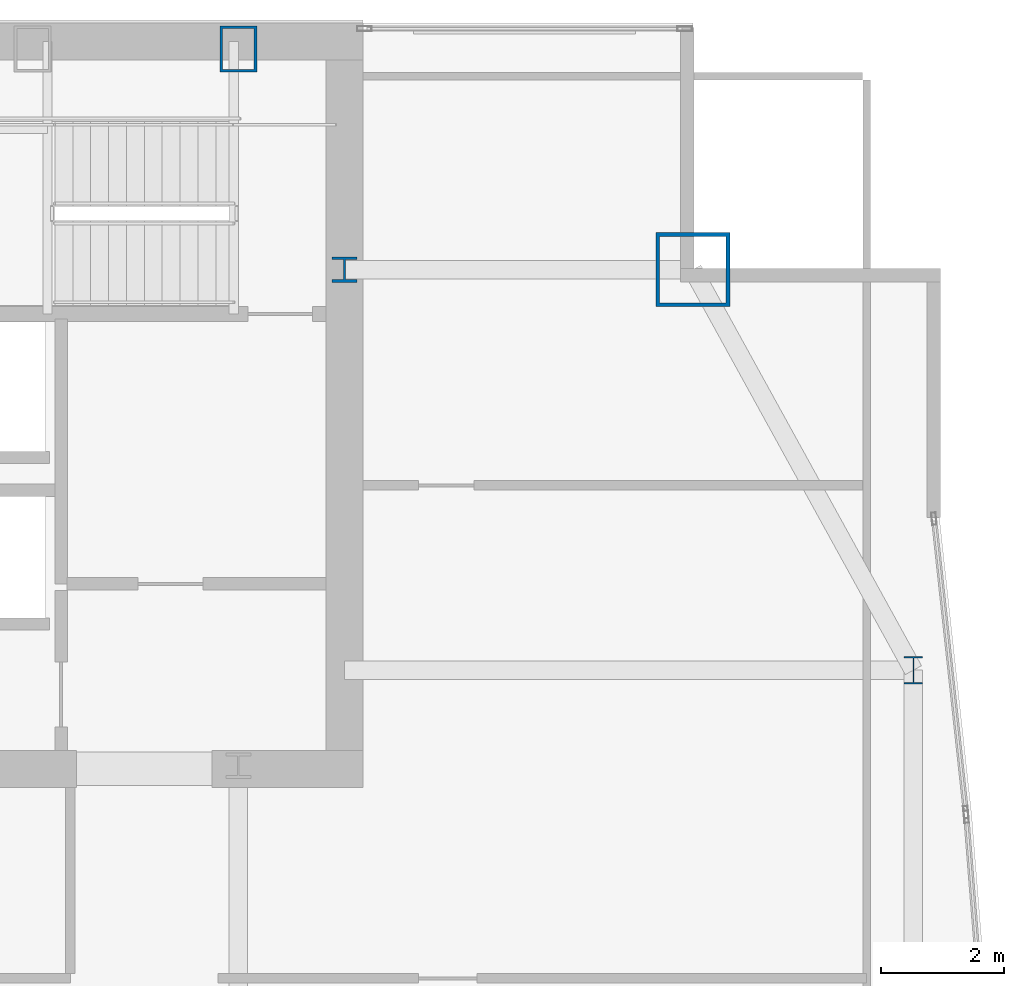
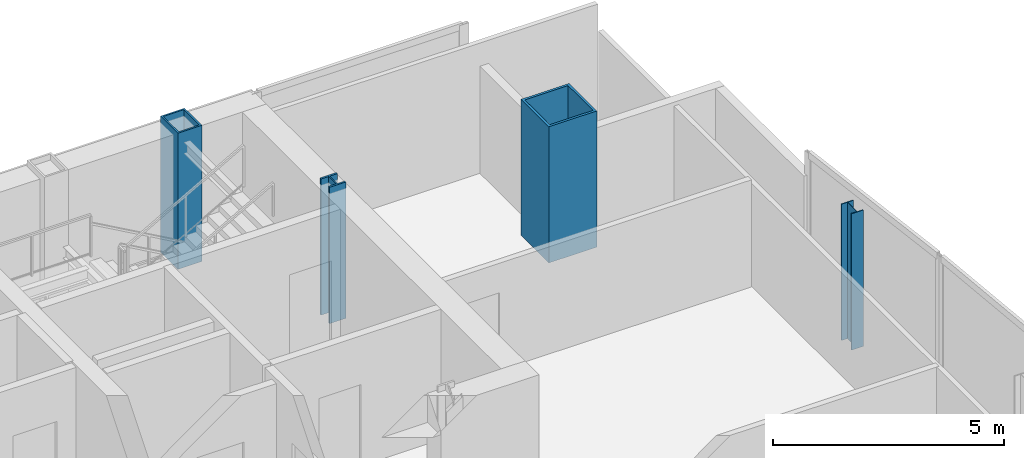
# One storey, part 4 of 32: 4 columns.
"""IFC4 building model written with IfcOpenShell, lengths in metres."""

from ifc_helpers import new_model, si_unit, direction, frame, origin, origin_2d, place, context, subcontext, project, spatial, hollow_rectangle, i_section, extrude, material, material_profile, profile_set, type_object, element, save


model = new_model("IFC4")

# Units and contexts
model_context = context("Model", 3, precision=1e-05, world=origin(), true_north=direction((0.0, 1.0)))
body_context = subcontext(model_context, "Body", "Model", "MODEL_VIEW")
ifc_project = project(units=[si_unit("LENGTHUNIT", "METRE"), si_unit("AREAUNIT", "SQUARE_METRE"), si_unit("VOLUMEUNIT", "CUBIC_METRE"), si_unit("PLANEANGLEUNIT", "RADIAN"), si_unit("MASSUNIT", "GRAM", prefix="KILO")], contexts=[model_context])

# Site, building, storey
site_placement = place(None, origin())
site = spatial("IfcSite", under=ifc_project, at=site_placement, CompositionType="ELEMENT")
building_placement = place(site_placement, origin())
building = spatial("IfcBuilding", under=site, at=building_placement, Name="Khoronbel Lancet Exchange", CompositionType="ELEMENT")
storey_placement = place(building_placement, frame((0.0, 0.0, 192.199951171875)))
storey = spatial("IfcBuildingStorey", under=building, at=storey_placement, Name="L48", CompositionType="ELEMENT", Elevation=192.199951171875)

# Columns
ifc_material_1 = material(Name="Steel S460", Category="steel")
ifc_material_profile_1 = material_profile(ifc_material_1, hollow_rectangle(XDim=0.60009765625, YDim=0.75, WallThickness=0.044921875, at=origin_2d()), Name="BOX 750x600x45")
ifc_profile_set_1 = profile_set([ifc_material_profile_1], Name="Steel S460")
column_type_1 = type_object("IfcColumnType", Name="COL-EC3", PredefinedType="COLUMN", material=ifc_profile_set_1)
column_1_placement = place(storey_placement, frame((54.675048828125, 53.280029296875, 0.0), z_axis=(0.0, 0.0, 1.0), x_axis=(1.0, 0.0, 0.0)))
element("IfcColumn", 1, at=column_1_placement, inside=storey, type_object=column_type_1, Name="Structural column NC-E2 L48", PredefinedType="COLUMN", context=body_context, shape_type="SweptSolid", body=[
    extrude(hollow_rectangle(XDim=0.60009765625, YDim=0.75, WallThickness=0.044921875, at=origin_2d()), origin(), (0.0, 0.0, 1.0), 3.60009765625),
])
ifc_material_2 = material(Name="Steel S355", Category="steel")
ifc_material_profile_2 = material_profile(ifc_material_2, i_section(OverallWidth=0.406005859375, OverallDepth=0.416015625, WebThickness=0.02978515625, FlangeThickness=0.048095703125, at=origin_2d()), Name="HD 400x382")
ifc_profile_set_2 = profile_set([ifc_material_profile_2], Name="Steel S355")
column_type_2 = type_object("IfcColumnType", Name="COL-IC3", PredefinedType="COLUMN", material=ifc_profile_set_2)
column_2_placement = place(storey_placement, frame((56.39990234375, 49.699951171875, 0.0), z_axis=(0.0, 0.0, 1.0), x_axis=(1.0, 0.0, 0.0)))
element("IfcColumn", 2, at=column_2_placement, inside=storey, type_object=column_type_2, Name="Core-flank plumb transfer column CFE L48", PredefinedType="COLUMN", context=body_context, shape_type="SweptSolid", body=[
    extrude(i_section(OverallWidth=0.406005859375, OverallDepth=0.416015625, WebThickness=0.02978515625, FlangeThickness=0.048095703125, at=origin_2d()), origin(), (0.0, 0.0, 1.0), 3.60009765625),
])
ifc_material_profile_3 = material_profile(ifc_material_2, i_section(OverallWidth=0.300048828125, OverallDepth=0.449951171875, WebThickness=0.013916015625, FlangeThickness=0.02587890625, at=origin_2d()), Name="HEB 450")
ifc_profile_set_3 = profile_set([ifc_material_profile_3], Name="Steel S355")
column_type_3 = type_object("IfcColumnType", Name="COL-LC2", PredefinedType="COLUMN", material=ifc_profile_set_3)
column_3_placement = place(storey_placement, frame((65.6298828125, 43.199951171875, 0.0), z_axis=(0.0, 0.0, 1.0), x_axis=(1.0, 0.0, 0.0)))
element("IfcColumn", 3, at=column_3_placement, inside=storey, type_object=column_type_3, Name="Structural column EC-4 L48", PredefinedType="COLUMN", context=body_context, shape_type="SweptSolid", body=[
    extrude(i_section(OverallWidth=0.300048828125, OverallDepth=0.449951171875, WebThickness=0.013916015625, FlangeThickness=0.02587890625, at=origin_2d()), origin(), (0.0, 0.0, 1.0), 3.60009765625),
])
ifc_material_profile_4 = material_profile(ifc_material_1, hollow_rectangle(XDim=1.199951171875, YDim=1.199951171875, WallThickness=0.06005859375, at=origin_2d()), Name="BOX 1200x1200x60")
ifc_profile_set_4 = profile_set([ifc_material_profile_4], Name="Steel S460")
column_type_4 = type_object("IfcColumnType", Name="COL-MC5", PredefinedType="COLUMN", material=ifc_profile_set_4)
column_4_placement = place(storey_placement, frame((62.050048828125, 49.699951171875, 0.0), z_axis=(0.0, 0.0, 1.0), x_axis=(1.0, 0.0, 0.0)))
element("IfcColumn", 4, at=column_4_placement, inside=storey, type_object=column_type_4, Name="Structural column MC-NE L48", PredefinedType="COLUMN", context=body_context, shape_type="SweptSolid", body=[
    extrude(hollow_rectangle(XDim=1.199951171875, YDim=1.199951171875, WallThickness=0.06005859375, at=origin_2d()), origin(), (0.0, 0.0, 1.0), 3.60009765625),
])

save(model, "model.ifc")
